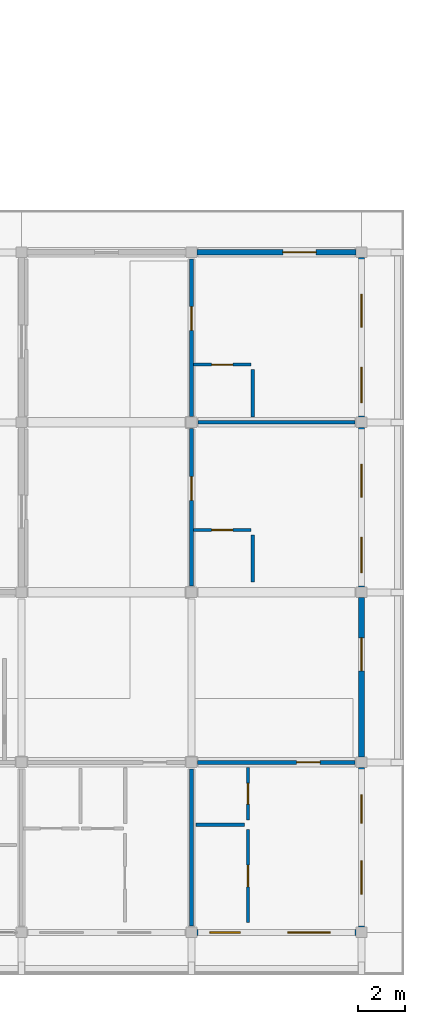
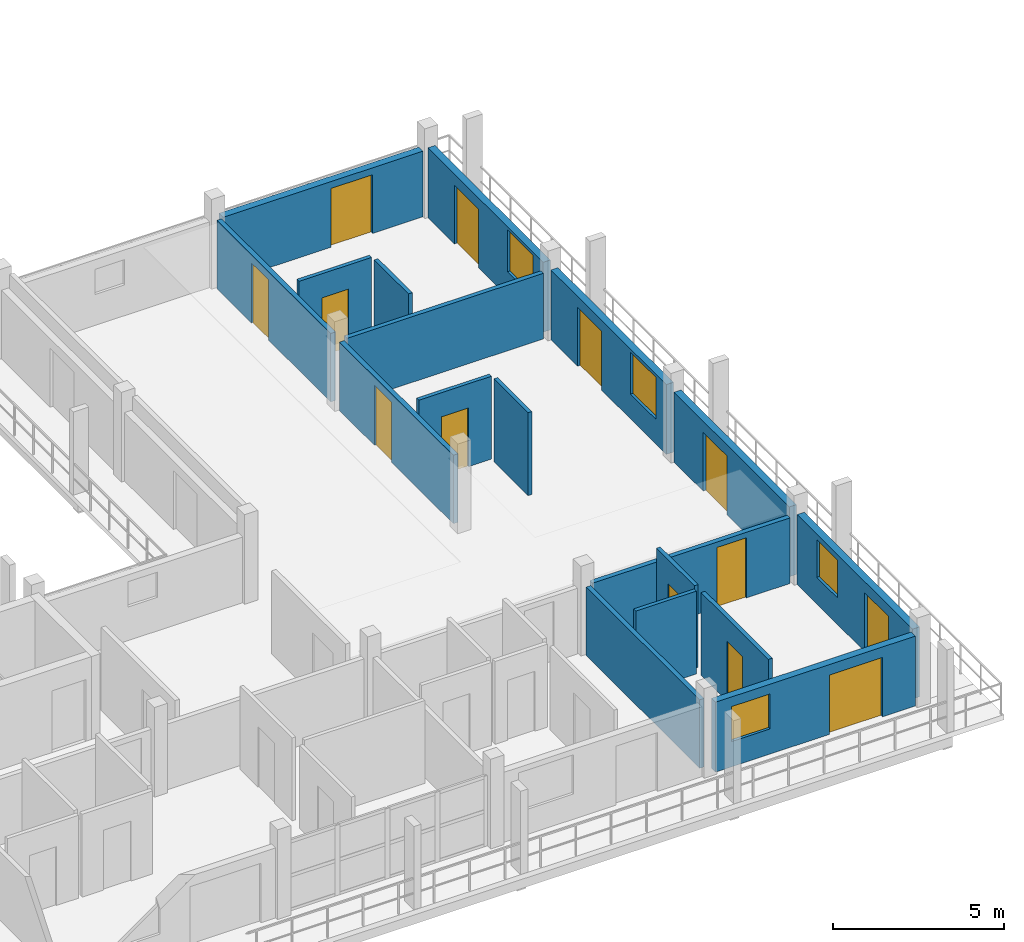
# One storey, part 39 of 56: 18 walls, 13 doors, 4 windows, 17 openings.
"""IFC4 building model written with IfcOpenShell, lengths in metres."""

from ifc_helpers import new_model, si_unit, direction, frame, frame_2d, origin, place, context, subcontext, project, spatial, rectangle, extrude, material, layer, layer_set, type_object, element, fill, save


model = new_model("IFC4")

# Units and contexts
model_context = context("Model", 3, precision=1e-05, world=origin(), true_north=direction((0.0, 1.0)))
body_context = subcontext(model_context, "Body", "Model", "MODEL_VIEW")
ifc_project = project(units=[si_unit("LENGTHUNIT", "METRE"), si_unit("AREAUNIT", "SQUARE_METRE"), si_unit("VOLUMEUNIT", "CUBIC_METRE"), si_unit("PLANEANGLEUNIT", "RADIAN"), si_unit("MASSUNIT", "GRAM", prefix="KILO")], contexts=[model_context])

# Site, building, storey
site_placement = place(None, origin())
site = spatial("IfcSite", under=ifc_project, at=site_placement, CompositionType="ELEMENT")
building_placement = place(site_placement, origin())
building = spatial("IfcBuilding", under=site, at=building_placement, Name="Suanplinth Sawtooth Commons", CompositionType="ELEMENT")
storey_placement = place(building_placement, frame((0.0, 0.0, 34.800048828125)))
storey = spatial("IfcBuildingStorey", under=building, at=storey_placement, Name="L10", CompositionType="ELEMENT", Elevation=34.800048828125)

# Wall, openings, door, window
ifc_material_1 = material(Name="Precast concrete C40/50", Category="concrete")
ifc_layer_1 = layer(ifc_material_1, 0.239990234375, Name="Upper insulated precast facade wall 240mm")
ifc_layer_set_1 = layer_set([ifc_layer_1], Name="Precast concrete C40/50")
wall_type_1 = type_object("IfcWallType", Name="W-EX03", PredefinedType="ELEMENTEDWALL", material=ifc_layer_set_1)
wall_1_placement = place(storey_placement, frame((180.22509765625, 0.0, 0.0), z_axis=(0.0, 0.0, 1.0), x_axis=(1.0, 0.0, 0.0)))
wall_1 = element("IfcWall", 1, at=wall_1_placement, inside=storey, type_object=wall_type_1, Name="Facade Wall W-L10-C-S-25-0", PredefinedType="ELEMENTEDWALL", context=body_context, shape_type="SweptSolid", body=[
    extrude(rectangle(XDim=6.75, YDim=0.239990234375, at=frame_2d((3.375, 0.0))), origin(), (0.0, 0.0, 1.0), 2.494873046875),
])
opening_1_placement = place(wall_1_placement, frame((3.85009765625, 0.0, 0.0)))
opening_1 = element("IfcOpeningElement", 2, at=opening_1_placement, cuts=wall_1, Name="Opening ED0772", PredefinedType="OPENING", context=body_context, shape_type="SweptSolid", body=[
    extrude(rectangle(XDim=1.800048828125, YDim=2.1201171875, at=frame_2d((0.89990234375, 1.06005859375))), frame((0.0, 0.134765625, 0.0), z_axis=(0.0, -1.0, 0.0), x_axis=(1.0, 0.0, 0.0)), (0.0, 0.0, 1.0), 0.269775390625),
])
opening_2_placement = place(wall_1_placement, frame((0.550048828125, 0.0, 0.89990234375)))
opening_2 = element("IfcOpeningElement", 3, at=opening_2_placement, cuts=wall_1, Name="Opening W0858", PredefinedType="OPENING", context=body_context, shape_type="SweptSolid", body=[
    extrude(rectangle(XDim=1.300048828125, YDim=1.25, at=frame_2d((0.64990234375, 0.625))), frame((0.0, 0.134765625, 0.0), z_axis=(0.0, -1.0, 0.0), x_axis=(1.0, 0.0, 0.0)), (0.0, 0.0, 1.0), 0.269775390625),
])
ifc_material_2 = material(Name="Anodized aluminium and low-E glass", Category="aluminium")
door_type_1 = type_object("IfcDoorType", Name="SD-01", OperationType="SLIDING_TO_LEFT", PredefinedType="DOOR", material=ifc_material_2)
door_1_placement = place(opening_1_placement, frame((1.800048828125, 0.0, 0.0), z_axis=(0.0, 0.0, 1.0), x_axis=(-1.0, 0.0, 0.0)))
door_1 = element("IfcDoor", 4, at=door_1_placement, inside=storey, type_object=door_type_1, Name="Balcony Sliding Door L10-C-25", OperationType="SLIDING_TO_LEFT", OverallHeight=2.1201171875, OverallWidth=1.800048828125, PredefinedType="DOOR", context=body_context, shape_type="SweptSolid", body=[
    extrude(rectangle(XDim=1.800048828125, YDim=2.1201171875, at=frame_2d((0.89990234375, 1.06005859375))), frame((0.0, 0.02490234375, 0.0), z_axis=(0.0, -1.0, 0.0), x_axis=(1.0, 0.0, 0.0)), (0.0, 0.0, 1.0), 0.050048828125),
])
fill(opening_1, door_1)
ifc_material_3 = material(Name="Thermally broken aluminium and low-E double glazing", Category="aluminium")
window_type_1 = type_object("IfcWindowType", Name="WN-24", PartitioningType="SINGLE_PANEL", PredefinedType="WINDOW", material=ifc_material_3)
window_1_placement = place(opening_2_placement, origin())
window_1 = element("IfcWindow", 5, at=window_1_placement, inside=storey, type_object=window_type_1, Name="Apartment Window L10-C-25", OverallHeight=1.25, OverallWidth=1.300048828125, PartitioningType="SINGLE_PANEL", PredefinedType="WINDOW", context=body_context, shape_type="SweptSolid", body=[
    extrude(rectangle(XDim=1.300048828125, YDim=1.25, at=frame_2d((0.64990234375, 0.625))), frame((0.0, 0.030029296875, 0.0), z_axis=(0.0, -1.0, 0.0), x_axis=(1.0, 0.0, 0.0)), (0.0, 0.0, 1.0), 0.06005859375),
])
fill(opening_2, window_1)

wall_2_placement = place(storey_placement, frame((187.199951171875, 0.22509765625, 0.0), z_axis=(0.0, 0.0, 1.0), x_axis=(0.0, 1.0, 0.0)))
wall_2 = element("IfcWall", 6, at=wall_2_placement, inside=storey, type_object=wall_type_1, Name="Facade Wall W-L10-C-E-25-0", PredefinedType="ELEMENTEDWALL", context=body_context, shape_type="SweptSolid", body=[
    extrude(rectangle(XDim=6.75, YDim=0.239990234375, at=frame_2d((3.375, 0.0))), origin(), (0.0, 0.0, 1.0), 2.494873046875),
])
opening_3_placement = place(wall_2_placement, frame((1.39990234375, 0.0, 0.0)))
opening_3 = element("IfcOpeningElement", 7, at=opening_3_placement, cuts=wall_2, Name="Opening ED0773", PredefinedType="OPENING", context=body_context, shape_type="SweptSolid", body=[
    extrude(rectangle(XDim=1.39990234375, YDim=2.10009765625, at=frame_2d((0.699951171875, 1.050048828125))), frame((0.0, 0.134765625, 0.0), z_axis=(0.0, -1.0, 0.0), x_axis=(1.0, 0.0, 0.0)), (0.0, 0.0, 1.0), 0.269775390625),
])
opening_4_placement = place(wall_2_placement, frame((4.39990234375, 0.0, 0.949951171875)))
opening_4 = element("IfcOpeningElement", 8, at=opening_4_placement, cuts=wall_2, Name="Opening W0859", PredefinedType="OPENING", context=body_context, shape_type="SweptSolid", body=[
    extrude(rectangle(XDim=1.199951171875, YDim=1.35009765625, at=frame_2d((0.60009765625, 0.675048828125))), frame((0.0, 0.134765625, 0.0), z_axis=(0.0, -1.0, 0.0), x_axis=(1.0, 0.0, 0.0)), (0.0, 0.0, 1.0), 0.269775390625),
])
door_type_2 = type_object("IfcDoorType", Name="SD-07", OperationType="SLIDING_TO_RIGHT", PredefinedType="DOOR", material=ifc_material_2)
door_2_placement = place(opening_3_placement, frame((1.39990234375, 0.0, 0.0), z_axis=(0.0, 0.0, 1.0), x_axis=(-1.0, 0.0, 0.0)))
door_2 = element("IfcDoor", 9, at=door_2_placement, inside=storey, type_object=door_type_2, Name="End Balcony Sliding Door L10-C-E-25-0", OperationType="SLIDING_TO_RIGHT", OverallHeight=2.10009765625, OverallWidth=1.39990234375, PredefinedType="DOOR", context=body_context, shape_type="SweptSolid", body=[
    extrude(rectangle(XDim=1.39990234375, YDim=2.10009765625, at=frame_2d((0.699951171875, 1.050048828125))), frame((0.0, 0.02490234375, 0.0), z_axis=(0.0, -1.0, 0.0), x_axis=(1.0, 0.0, 0.0)), (0.0, 0.0, 1.0), 0.050048828125),
])
fill(opening_3, door_2)
window_type_2 = type_object("IfcWindowType", Name="WN-03", PartitioningType="SINGLE_PANEL", PredefinedType="WINDOW", material=ifc_material_3)
window_2_placement = place(opening_4_placement, origin())
window_2 = element("IfcWindow", 10, at=window_2_placement, inside=storey, type_object=window_type_2, Name="End Bedroom Window L10-C-25-0", OverallHeight=1.35009765625, OverallWidth=1.199951171875, PartitioningType="SINGLE_PANEL", PredefinedType="WINDOW", context=body_context, shape_type="SweptSolid", body=[
    extrude(rectangle(XDim=1.199951171875, YDim=1.35009765625, at=frame_2d((0.60009765625, 0.675048828125))), frame((0.0, 0.030029296875, 0.0), z_axis=(0.0, -1.0, 0.0), x_axis=(1.0, 0.0, 0.0)), (0.0, 0.0, 1.0), 0.06005859375),
])
fill(opening_4, window_2)

# Wall, opening, door
wall_3_placement = place(storey_placement, frame((187.199951171875, 7.425048828125, 0.0), z_axis=(0.0, 0.0, 1.0), x_axis=(0.0, 1.0, 0.0)))
wall_3 = element("IfcWall", 11, at=wall_3_placement, inside=storey, type_object=wall_type_1, Name="Facade Wall W-L10-C-E-25-1", PredefinedType="ELEMENTEDWALL", context=body_context, shape_type="SweptSolid", body=[
    extrude(rectangle(XDim=6.75, YDim=0.239990234375, at=frame_2d((3.375, 0.0))), origin(), (0.0, 0.0, 1.0), 2.494873046875),
])
opening_5_placement = place(wall_3_placement, frame((3.64990234375, 0.0, 0.0)))
opening_5 = element("IfcOpeningElement", 12, at=opening_5_placement, cuts=wall_3, Name="Opening ED0774", PredefinedType="OPENING", context=body_context, shape_type="SweptSolid", body=[
    extrude(rectangle(XDim=1.39990234375, YDim=2.10009765625, at=frame_2d((0.699951171875, 1.050048828125))), frame((0.0, 0.134765625, 0.0), z_axis=(0.0, -1.0, 0.0), x_axis=(1.0, 0.0, 0.0)), (0.0, 0.0, 1.0), 0.269775390625),
])
door_3_placement = place(opening_5_placement, frame((1.39990234375, 0.0, 0.0), z_axis=(0.0, 0.0, 1.0), x_axis=(-1.0, 0.0, 0.0)))
door_3 = element("IfcDoor", 13, at=door_3_placement, inside=storey, type_object=door_type_2, Name="End Balcony Sliding Door L10-C-E-25-1", OperationType="SLIDING_TO_RIGHT", OverallHeight=2.10009765625, OverallWidth=1.39990234375, PredefinedType="DOOR", context=body_context, shape_type="SweptSolid", body=[
    extrude(rectangle(XDim=1.39990234375, YDim=2.10009765625, at=frame_2d((0.699951171875, 1.050048828125))), frame((0.0, 0.02490234375, 0.0), z_axis=(0.0, -1.0, 0.0), x_axis=(1.0, 0.0, 0.0)), (0.0, 0.0, 1.0), 0.050048828125),
])
fill(opening_5, door_3)

# Wall, openings, door, window
wall_4_placement = place(storey_placement, frame((187.199951171875, 14.625, 0.0), z_axis=(0.0, 0.0, 1.0), x_axis=(0.0, 1.0, 0.0)))
wall_4 = element("IfcWall", 14, at=wall_4_placement, inside=storey, type_object=wall_type_1, Name="Facade Wall W-L10-C-E-25-2", PredefinedType="ELEMENTEDWALL", context=body_context, shape_type="SweptSolid", body=[
    extrude(rectangle(XDim=6.75, YDim=0.239990234375, at=frame_2d((3.375, 0.0))), origin(), (0.0, 0.0, 1.0), 2.494873046875),
])
opening_6_placement = place(wall_4_placement, frame((3.800048828125, 0.0, 0.0)))
opening_6 = element("IfcOpeningElement", 15, at=opening_6_placement, cuts=wall_4, Name="Opening ED0775", PredefinedType="OPENING", context=body_context, shape_type="SweptSolid", body=[
    extrude(rectangle(XDim=1.39990234375, YDim=2.10009765625, at=frame_2d((0.699951171875, 1.050048828125))), frame((0.0, 0.134765625, 0.0), z_axis=(0.0, -1.0, 0.0), x_axis=(1.0, 0.0, 0.0)), (0.0, 0.0, 1.0), 0.269775390625),
])
opening_7_placement = place(wall_4_placement, frame((0.60009765625, 0.0, 0.885009765625)))
opening_7 = element("IfcOpeningElement", 16, at=opening_7_placement, cuts=wall_4, Name="Opening W0860", PredefinedType="OPENING", context=body_context, shape_type="SweptSolid", body=[
    extrude(rectangle(XDim=1.5, YDim=1.5, at=frame_2d((0.75, 0.75))), frame((0.0, 0.134765625, 0.0), z_axis=(0.0, -1.0, 0.0), x_axis=(1.0, 0.0, 0.0)), (0.0, 0.0, 1.0), 0.269775390625),
])
door_4_placement = place(opening_6_placement, frame((1.39990234375, 0.0, 0.0), z_axis=(0.0, 0.0, 1.0), x_axis=(-1.0, 0.0, 0.0)))
door_4 = element("IfcDoor", 17, at=door_4_placement, inside=storey, type_object=door_type_2, Name="Wing Balcony Sliding Door L10-C-2", OperationType="SLIDING_TO_RIGHT", OverallHeight=2.10009765625, OverallWidth=1.39990234375, PredefinedType="DOOR", context=body_context, shape_type="SweptSolid", body=[
    extrude(rectangle(XDim=1.39990234375, YDim=2.10009765625, at=frame_2d((0.699951171875, 1.050048828125))), frame((0.0, 0.02490234375, 0.0), z_axis=(0.0, -1.0, 0.0), x_axis=(1.0, 0.0, 0.0)), (0.0, 0.0, 1.0), 0.050048828125),
])
fill(opening_6, door_4)
window_type_3 = type_object("IfcWindowType", Name="WN-02", PartitioningType="DOUBLE_PANEL_VERTICAL", PredefinedType="WINDOW", material=ifc_material_3)
window_3_placement = place(opening_7_placement, origin())
window_3 = element("IfcWindow", 18, at=window_3_placement, inside=storey, type_object=window_type_3, Name="Wing Window L10-C-2", OverallHeight=1.5, OverallWidth=1.5, PartitioningType="DOUBLE_PANEL_VERTICAL", PredefinedType="WINDOW", context=body_context, shape_type="SweptSolid", body=[
    extrude(rectangle(XDim=1.5, YDim=1.5, at=frame_2d((0.75, 0.75))), frame((0.0, 0.030029296875, 0.0), z_axis=(0.0, -1.0, 0.0), x_axis=(1.0, 0.0, 0.0)), (0.0, 0.0, 1.0), 0.06005859375),
])
fill(opening_7, window_3)

# Wall, opening, door
wall_5_placement = place(storey_placement, frame((180.22509765625, 28.800048828125, 0.0), z_axis=(0.0, 0.0, 1.0), x_axis=(1.0, 0.0, 0.0)))
wall_5 = element("IfcWall", 19, at=wall_5_placement, inside=storey, type_object=wall_type_1, Name="Facade Wall W-L10-C-N-25-3", PredefinedType="ELEMENTEDWALL", context=body_context, shape_type="SweptSolid", body=[
    extrude(rectangle(XDim=6.75, YDim=0.239990234375, at=frame_2d((3.375, 0.0))), origin(), (0.0, 0.0, 1.0), 2.344970703125),
])
opening_8_placement = place(wall_5_placement, frame((3.64990234375, 0.0, 0.0)))
opening_8 = element("IfcOpeningElement", 20, at=opening_8_placement, cuts=wall_5, Name="Opening ED0776", PredefinedType="OPENING", context=body_context, shape_type="SweptSolid", body=[
    extrude(rectangle(XDim=1.39990234375, YDim=2.10009765625, at=frame_2d((0.699951171875, 1.050048828125))), frame((0.0, 0.134765625, 0.0), z_axis=(0.0, -1.0, 0.0), x_axis=(1.0, 0.0, 0.0)), (0.0, 0.0, 1.0), 0.269775390625),
])
door_5_placement = place(opening_8_placement, frame((1.39990234375, 0.0, 0.0), z_axis=(0.0, 0.0, 1.0), x_axis=(-1.0, 0.0, 0.0)))
door_5 = element("IfcDoor", 21, at=door_5_placement, inside=storey, type_object=door_type_2, Name="End Balcony Sliding Door L10-C-N-25-3", OperationType="SLIDING_TO_RIGHT", OverallHeight=2.10009765625, OverallWidth=1.39990234375, PredefinedType="DOOR", context=body_context, shape_type="SweptSolid", body=[
    extrude(rectangle(XDim=1.39990234375, YDim=2.10009765625, at=frame_2d((0.699951171875, 1.050048828125))), frame((0.0, 0.02490234375, 0.0), z_axis=(0.0, -1.0, 0.0), x_axis=(1.0, 0.0, 0.0)), (0.0, 0.0, 1.0), 0.050048828125),
])
fill(opening_8, door_5)

# Wall, openings, door, window
wall_6_placement = place(storey_placement, frame((187.199951171875, 21.824951171875, 0.0), z_axis=(0.0, 0.0, 1.0), x_axis=(0.0, 1.0, 0.0)))
wall_6 = element("IfcWall", 22, at=wall_6_placement, inside=storey, type_object=wall_type_1, Name="Facade Wall W-L10-C-E-25-3", PredefinedType="ELEMENTEDWALL", context=body_context, shape_type="SweptSolid", body=[
    extrude(rectangle(XDim=6.75, YDim=0.239990234375, at=frame_2d((3.375, 0.0))), origin(), (0.0, 0.0, 1.0), 2.494873046875),
])
opening_9_placement = place(wall_6_placement, frame((3.800048828125, 0.0, 0.0)))
opening_9 = element("IfcOpeningElement", 23, at=opening_9_placement, cuts=wall_6, Name="Opening ED0777", PredefinedType="OPENING", context=body_context, shape_type="SweptSolid", body=[
    extrude(rectangle(XDim=1.39990234375, YDim=2.10009765625, at=frame_2d((0.699951171875, 1.050048828125))), frame((0.0, 0.134765625, 0.0), z_axis=(0.0, -1.0, 0.0), x_axis=(1.0, 0.0, 0.0)), (0.0, 0.0, 1.0), 0.269775390625),
])
opening_10_placement = place(wall_6_placement, frame((0.60009765625, 0.0, 0.885009765625)))
opening_10 = element("IfcOpeningElement", 24, at=opening_10_placement, cuts=wall_6, Name="Opening W0861", PredefinedType="OPENING", context=body_context, shape_type="SweptSolid", body=[
    extrude(rectangle(XDim=1.5, YDim=1.5, at=frame_2d((0.75, 0.75))), frame((0.0, 0.134765625, 0.0), z_axis=(0.0, -1.0, 0.0), x_axis=(1.0, 0.0, 0.0)), (0.0, 0.0, 1.0), 0.269775390625),
])
door_6_placement = place(opening_9_placement, frame((1.39990234375, 0.0, 0.0), z_axis=(0.0, 0.0, 1.0), x_axis=(-1.0, 0.0, 0.0)))
door_6 = element("IfcDoor", 25, at=door_6_placement, inside=storey, type_object=door_type_2, Name="Wing Balcony Sliding Door L10-C-3", OperationType="SLIDING_TO_RIGHT", OverallHeight=2.10009765625, OverallWidth=1.39990234375, PredefinedType="DOOR", context=body_context, shape_type="SweptSolid", body=[
    extrude(rectangle(XDim=1.39990234375, YDim=2.10009765625, at=frame_2d((0.699951171875, 1.050048828125))), frame((0.0, 0.02490234375, 0.0), z_axis=(0.0, -1.0, 0.0), x_axis=(1.0, 0.0, 0.0)), (0.0, 0.0, 1.0), 0.050048828125),
])
fill(opening_9, door_6)
window_4_placement = place(opening_10_placement, origin())
window_4 = element("IfcWindow", 26, at=window_4_placement, inside=storey, type_object=window_type_3, Name="Wing Window L10-C-3", OverallHeight=1.5, OverallWidth=1.5, PartitioningType="DOUBLE_PANEL_VERTICAL", PredefinedType="WINDOW", context=body_context, shape_type="SweptSolid", body=[
    extrude(rectangle(XDim=1.5, YDim=1.5, at=frame_2d((0.75, 0.75))), frame((0.0, 0.030029296875, 0.0), z_axis=(0.0, -1.0, 0.0), x_axis=(1.0, 0.0, 0.0)), (0.0, 0.0, 1.0), 0.06005859375),
])
fill(opening_10, window_4)

# Wall, opening, door
ifc_layer_2 = layer(ifc_material_1, 0.159912109375, Name="Fire-rated corridor and lobby wall 160mm")
ifc_layer_set_2 = layer_set([ifc_layer_2], Name="Precast concrete C40/50")
wall_type_2 = type_object("IfcWallType", Name="W-FW01", PredefinedType="PARTITIONING", material=ifc_layer_set_2)
wall_7_placement = place(storey_placement, frame((180.2548828125, 7.199951171875, 0.0), z_axis=(0.0, 0.0, 1.0), x_axis=(1.0, 0.0, 0.0)))
wall_7 = element("IfcWall", 27, at=wall_7_placement, inside=storey, type_object=wall_type_2, Name="W-C-L10-U05-COR", PredefinedType="PARTITIONING", context=body_context, shape_type="SweptSolid", body=[
    extrude(rectangle(XDim=6.6650390625, YDim=0.159912109375, at=frame_2d((3.33251953125, 0.0))), origin(), (0.0, 0.0, 1.0), 2.344970703125),
])
opening_11_placement = place(wall_7_placement, frame((4.195068359375, 0.0, 0.0)))
opening_11 = element("IfcOpeningElement", 28, at=opening_11_placement, cuts=wall_7, Name="Opening FD1918", PredefinedType="OPENING", context=body_context, shape_type="SweptSolid", body=[
    extrude(rectangle(XDim=1.0, YDim=2.14990234375, at=frame_2d((0.5, 1.074951171875))), frame((0.0, 0.0947265625, 0.0), z_axis=(0.0, -1.0, 0.0), x_axis=(1.0, 0.0, 0.0)), (0.0, 0.0, 1.0), 0.189697265625),
])
ifc_material_4 = material(Name="Teak hardwood fire-rated door assembly", Category="wood")
door_type_3 = type_object("IfcDoorType", Name="FD-03", OperationType="NOTDEFINED", PredefinedType="DOOR", material=ifc_material_4)
door_7_placement = place(opening_11_placement, frame((1.0, 0.0, 0.0), z_axis=(0.0, 0.0, 1.0), x_axis=(-1.0, 0.0, 0.0)))
door_7 = element("IfcDoor", 29, at=door_7_placement, inside=storey, type_object=door_type_3, Name="Unit Entrance Door FD1918", OperationType="SINGLE_SWING_RIGHT", OverallHeight=2.14990234375, OverallWidth=1.0, PredefinedType="DOOR", context=body_context, shape_type="SweptSolid", body=[
    extrude(rectangle(XDim=1.0, YDim=2.14990234375, at=frame_2d((0.5, 1.074951171875))), frame((0.0, 0.02490234375, 0.0), z_axis=(0.0, -1.0, 0.0), x_axis=(1.0, 0.0, 0.0)), (0.0, 0.0, 1.0), 0.050048828125),
])
fill(opening_11, door_7)

wall_8_placement = place(storey_placement, frame((180.0, 14.679931640625, 0.0), z_axis=(0.0, 0.0, 1.0), x_axis=(0.0, 1.0, 0.0)))
wall_8 = element("IfcWall", 30, at=wall_8_placement, inside=storey, type_object=wall_type_2, Name="W-C-L10-L01-COR", PredefinedType="PARTITIONING", context=body_context, shape_type="SweptSolid", body=[
    extrude(rectangle(XDim=6.6650390625, YDim=0.159912109375, at=frame_2d((3.33251953125, 0.0))), origin(), (0.0, 0.0, 1.0), 2.445068359375),
])
opening_12_placement = place(wall_8_placement, frame((3.6201171875, 0.0, 0.0)))
opening_12 = element("IfcOpeningElement", 31, at=opening_12_placement, cuts=wall_8, Name="Opening FD1922", PredefinedType="OPENING", context=body_context, shape_type="SweptSolid", body=[
    extrude(rectangle(XDim=1.0, YDim=2.14990234375, at=frame_2d((0.5, 1.074951171875))), frame((0.0, 0.0947265625, 0.0), z_axis=(0.0, -1.0, 0.0), x_axis=(1.0, 0.0, 0.0)), (0.0, 0.0, 1.0), 0.189697265625),
])
door_8_placement = place(opening_12_placement, frame((1.0, 0.0, 0.0), z_axis=(0.0, 0.0, 1.0), x_axis=(-1.0, 0.0, 0.0)))
door_8 = element("IfcDoor", 32, at=door_8_placement, inside=storey, type_object=door_type_3, Name="Wing Unit Entrance Door FD1922", OperationType="SINGLE_SWING_RIGHT", OverallHeight=2.14990234375, OverallWidth=1.0, PredefinedType="DOOR", context=body_context, shape_type="SweptSolid", body=[
    extrude(rectangle(XDim=1.0, YDim=2.14990234375, at=frame_2d((0.5, 1.074951171875))), frame((0.0, 0.02490234375, 0.0), z_axis=(0.0, -1.0, 0.0), x_axis=(1.0, 0.0, 0.0)), (0.0, 0.0, 1.0), 0.050048828125),
])
fill(opening_12, door_8)

wall_9_placement = place(storey_placement, frame((180.0, 21.85498046875, 0.0), z_axis=(0.0, 0.0, 1.0), x_axis=(0.0, 1.0, 0.0)))
wall_9 = element("IfcWall", 33, at=wall_9_placement, inside=storey, type_object=wall_type_2, Name="W-C-L10-L02-COR", PredefinedType="PARTITIONING", context=body_context, shape_type="SweptSolid", body=[
    extrude(rectangle(XDim=6.6650390625, YDim=0.159912109375, at=frame_2d((3.33251953125, 0.0))), origin(), (0.0, 0.0, 1.0), 2.445068359375),
])
opening_13_placement = place(wall_9_placement, frame((3.64501953125, 0.0, 0.0)))
opening_13 = element("IfcOpeningElement", 34, at=opening_13_placement, cuts=wall_9, Name="Opening FD1925", PredefinedType="OPENING", context=body_context, shape_type="SweptSolid", body=[
    extrude(rectangle(XDim=1.0, YDim=2.14990234375, at=frame_2d((0.5, 1.074951171875))), frame((0.0, 0.0947265625, 0.0), z_axis=(0.0, -1.0, 0.0), x_axis=(1.0, 0.0, 0.0)), (0.0, 0.0, 1.0), 0.189697265625),
])
door_9_placement = place(opening_13_placement, frame((1.0, 0.0, 0.0), z_axis=(0.0, 0.0, 1.0), x_axis=(-1.0, 0.0, 0.0)))
door_9 = element("IfcDoor", 35, at=door_9_placement, inside=storey, type_object=door_type_3, Name="Wing Unit Entrance Door FD1925", OperationType="SINGLE_SWING_LEFT", OverallHeight=2.14990234375, OverallWidth=1.0, PredefinedType="DOOR", context=body_context, shape_type="SweptSolid", body=[
    extrude(rectangle(XDim=1.0, YDim=2.14990234375, at=frame_2d((0.5, 1.074951171875))), frame((0.0, 0.02490234375, 0.0), z_axis=(0.0, -1.0, 0.0), x_axis=(1.0, 0.0, 0.0)), (0.0, 0.0, 1.0), 0.050048828125),
])
fill(opening_13, door_9)

# Walls
ifc_layer_3 = layer(ifc_material_1, 0.14990234375, Name="Acoustic precast party demising wall 150mm")
ifc_layer_set_3 = layer_set([ifc_layer_3], Name="Precast concrete C40/50")
wall_type_3 = type_object("IfcWallType", Name="W-FW02", PredefinedType="PARTITIONING", material=ifc_layer_set_3)
wall_10_placement = place(storey_placement, frame((180.0, 0.280029296875, 0.0), z_axis=(0.0, 0.0, 1.0), x_axis=(0.0, 1.0, 0.0)))
element("IfcWall", 36, at=wall_10_placement, inside=storey, type_object=wall_type_3, Name="W-C-L10-U04-PTY", PredefinedType="PARTITIONING", context=body_context, shape_type="SweptSolid", body=[
    extrude(rectangle(XDim=6.639892578125, YDim=0.14990234375, at=frame_2d((3.31982421875, 0.0))), origin(), (0.0, 0.0, 1.0), 2.445068359375),
])
wall_11_placement = place(storey_placement, frame((180.280029296875, 21.60009765625, 0.0), z_axis=(0.0, 0.0, 1.0), x_axis=(1.0, 0.0, 0.0)))
element("IfcWall", 37, at=wall_11_placement, inside=storey, type_object=wall_type_3, Name="W-C-L10-L01-PTY", PredefinedType="PARTITIONING", context=body_context, shape_type="SweptSolid", body=[
    extrude(rectangle(XDim=6.639892578125, YDim=0.14990234375, at=frame_2d((3.31982421875, 0.0))), origin(), (0.0, 0.0, 1.0), 2.344970703125),
])

# Wall, opening, door
ifc_material_5 = material(Name="Gypsum plasterboard on steel stud", Category="steel")
ifc_layer_4 = layer(ifc_material_5, 0.139892578125, Name="Fire-rated kitchen partition 140mm")
ifc_layer_set_4 = layer_set([ifc_layer_4], Name="Gypsum plasterboard on steel stud")
wall_type_4 = type_object("IfcWallType", Name="W-PT01", PredefinedType="PARTITIONING", material=ifc_layer_set_4)
wall_12_placement = place(storey_placement, frame((182.39501953125, 0.419921875, 0.0), z_axis=(0.0, 0.0, 1.0), x_axis=(0.0, 1.0, 0.0)))
wall_12 = element("IfcWall", 38, at=wall_12_placement, inside=storey, type_object=wall_type_4, Name="W-C-L10-U05-KITE", PredefinedType="PARTITIONING", context=body_context, shape_type="SweptSolid", body=[
    extrude(rectangle(XDim=3.940185546875, YDim=0.139892578125, at=frame_2d((1.97021484375, 0.0))), origin(), (0.0, 0.0, 1.0), 2.9599609375),
])
opening_14_placement = place(wall_12_placement, frame((1.5048828125, 0.0, 0.0)))
opening_14 = element("IfcOpeningElement", 39, at=opening_14_placement, cuts=wall_12, Name="Opening D1920", PredefinedType="OPENING", context=body_context, shape_type="SweptSolid", body=[
    extrude(rectangle(XDim=0.929931640625, YDim=2.139892578125, at=frame_2d((0.46484375, 1.06982421875))), frame((0.0, 0.0849609375, 0.0), z_axis=(0.0, -1.0, 0.0), x_axis=(1.0, 0.0, 0.0)), (0.0, 0.0, 1.0), 0.169677734375),
])
ifc_material_6 = material(Name="Teak hardwood", Category="wood")
door_type_4 = type_object("IfcDoorType", Name="D-19", OperationType="NOTDEFINED", PredefinedType="DOOR", material=ifc_material_6)
door_10_placement = place(opening_14_placement, origin())
door_10 = element("IfcDoor", 40, at=door_10_placement, inside=storey, type_object=door_type_4, Name="Kitchen Door D1920", OperationType="SINGLE_SWING_RIGHT", OverallHeight=2.139892578125, OverallWidth=0.929931640625, PredefinedType="DOOR", context=body_context, shape_type="SweptSolid", body=[
    extrude(rectangle(XDim=0.929931640625, YDim=2.139892578125, at=frame_2d((0.46484375, 1.06982421875))), frame((0.0, 0.02490234375, 0.0), z_axis=(0.0, -1.0, 0.0), x_axis=(1.0, 0.0, 0.0)), (0.0, 0.0, 1.0), 0.050048828125),
])
fill(opening_14, door_10)

# Wall
ifc_layer_5 = layer(ifc_material_5, 0.1298828125, Name="Moisture-resistant bathroom partition 130mm")
ifc_layer_set_5 = layer_set([ifc_layer_5], Name="Gypsum plasterboard on steel stud")
wall_type_5 = type_object("IfcWallType", Name="W-PT02", PredefinedType="PARTITIONING", material=ifc_layer_set_5)
wall_13_placement = place(storey_placement, frame((180.199951171875, 4.56005859375, 0.0), z_axis=(0.0, 0.0, 1.0), x_axis=(1.0, 0.0, 0.0)))
element("IfcWall", 41, at=wall_13_placement, inside=storey, type_object=wall_type_5, Name="W-C-L10-U05-STDIV", PredefinedType="PARTITIONING", context=body_context, shape_type="SweptSolid", body=[
    extrude(rectangle(XDim=2.050048828125, YDim=0.1298828125, at=frame_2d((1.02490234375, 0.0))), origin(), (0.0, 0.0, 1.0), 2.9599609375),
])

# Wall, opening, door
wall_14_placement = place(storey_placement, frame((182.39501953125, 4.760009765625, 0.0), z_axis=(0.0, 0.0, 1.0), x_axis=(0.0, 1.0, 0.0)))
wall_14 = element("IfcWall", 42, at=wall_14_placement, inside=storey, type_object=wall_type_5, Name="W-C-L10-U05-BTHE", PredefinedType="PARTITIONING", context=body_context, shape_type="SweptSolid", body=[
    extrude(rectangle(XDim=2.219970703125, YDim=0.1298828125, at=frame_2d((1.10986328125, 0.0))), origin(), (0.0, 0.0, 1.0), 2.9599609375),
])
opening_15_placement = place(wall_14_placement, frame((0.669921875, 0.0, 0.0)))
opening_15 = element("IfcOpeningElement", 43, at=opening_15_placement, cuts=wall_14, Name="Opening D1919", PredefinedType="OPENING", context=body_context, shape_type="SweptSolid", body=[
    extrude(rectangle(XDim=0.8798828125, YDim=2.10009765625, at=frame_2d((0.43994140625, 1.050048828125))), frame((0.0, 0.079833984375, 0.0), z_axis=(0.0, -1.0, 0.0), x_axis=(1.0, 0.0, 0.0)), (0.0, 0.0, 1.0), 0.15966796875),
])
door_type_5 = type_object("IfcDoorType", Name="D-14", OperationType="NOTDEFINED", PredefinedType="DOOR", material=ifc_material_6)
door_11_placement = place(opening_15_placement, origin())
door_11 = element("IfcDoor", 44, at=door_11_placement, inside=storey, type_object=door_type_5, Name="Bathroom Door D1919", OperationType="SINGLE_SWING_LEFT", OverallHeight=2.10009765625, OverallWidth=0.8798828125, PredefinedType="DOOR", context=body_context, shape_type="SweptSolid", body=[
    extrude(rectangle(XDim=0.8798828125, YDim=2.10009765625, at=frame_2d((0.43994140625, 1.050048828125))), frame((0.0, 0.02490234375, 0.0), z_axis=(0.0, -1.0, 0.0), x_axis=(1.0, 0.0, 0.0)), (0.0, 0.0, 1.0), 0.050048828125),
])
fill(opening_15, door_11)

wall_15_placement = place(storey_placement, frame((180.080078125, 17.044921875, 0.0), z_axis=(0.0, 0.0, 1.0), x_axis=(1.0, 0.0, 0.0)))
wall_15 = element("IfcWall", 45, at=wall_15_placement, inside=storey, type_object=wall_type_5, Name="W-C-L10-L01-BTH1", PredefinedType="PARTITIONING", context=body_context, shape_type="SweptSolid", body=[
    extrude(rectangle(XDim=2.449951171875, YDim=0.1298828125, at=frame_2d((1.22509765625, 0.0))), origin(), (0.0, 0.0, 1.0), 2.9599609375),
])
opening_16_placement = place(wall_15_placement, frame((0.77490234375, 0.0, 0.0)))
opening_16 = element("IfcOpeningElement", 46, at=opening_16_placement, cuts=wall_15, Name="Opening D1923", PredefinedType="OPENING", context=body_context, shape_type="SweptSolid", body=[
    extrude(rectangle(XDim=0.89990234375, YDim=2.10009765625, at=frame_2d((0.449951171875, 1.050048828125))), frame((0.0, 0.079833984375, 0.0), z_axis=(0.0, -1.0, 0.0), x_axis=(1.0, 0.0, 0.0)), (0.0, 0.0, 1.0), 0.15966796875),
])
door_type_6 = type_object("IfcDoorType", Name="D-01", OperationType="NOTDEFINED", PredefinedType="DOOR", material=ifc_material_6)
door_12_placement = place(opening_16_placement, frame((0.89990234375, 0.0, 0.0), z_axis=(0.0, 0.0, 1.0), x_axis=(-1.0, 0.0, 0.0)))
door_12 = element("IfcDoor", 47, at=door_12_placement, inside=storey, type_object=door_type_6, Name="Bathroom Door D1923", OperationType="SINGLE_SWING_LEFT", OverallHeight=2.10009765625, OverallWidth=0.89990234375, PredefinedType="DOOR", context=body_context, shape_type="SweptSolid", body=[
    extrude(rectangle(XDim=0.89990234375, YDim=2.10009765625, at=frame_2d((0.449951171875, 1.050048828125))), frame((0.0, 0.02490234375, 0.0), z_axis=(0.0, -1.0, 0.0), x_axis=(1.0, 0.0, 0.0)), (0.0, 0.0, 1.0), 0.050048828125),
])
fill(opening_16, door_12)

# Wall
wall_16_placement = place(storey_placement, frame((182.594970703125, 14.830078125, 0.0), z_axis=(0.0, 0.0, 1.0), x_axis=(0.0, 1.0, 0.0)))
element("IfcWall", 48, at=wall_16_placement, inside=storey, type_object=wall_type_5, Name="W-C-L10-L01-BTH2", PredefinedType="PARTITIONING", context=body_context, shape_type="SweptSolid", body=[
    extrude(rectangle(XDim=2.0, YDim=0.1298828125, at=frame_2d((1.0, 0.0))), origin(), (0.0, 0.0, 1.0), 2.9599609375),
])

# Wall, opening, door
wall_17_placement = place(storey_placement, frame((180.080078125, 24.044921875, 0.0), z_axis=(0.0, 0.0, 1.0), x_axis=(1.0, 0.0, 0.0)))
wall_17 = element("IfcWall", 49, at=wall_17_placement, inside=storey, type_object=wall_type_5, Name="W-C-L10-L02-BTH1", PredefinedType="PARTITIONING", context=body_context, shape_type="SweptSolid", body=[
    extrude(rectangle(XDim=2.449951171875, YDim=0.1298828125, at=frame_2d((1.22509765625, 0.0))), origin(), (0.0, 0.0, 1.0), 2.9599609375),
])
opening_17_placement = place(wall_17_placement, frame((0.77490234375, 0.0, 0.0)))
opening_17 = element("IfcOpeningElement", 50, at=opening_17_placement, cuts=wall_17, Name="Opening D1926", PredefinedType="OPENING", context=body_context, shape_type="SweptSolid", body=[
    extrude(rectangle(XDim=0.89990234375, YDim=2.10009765625, at=frame_2d((0.449951171875, 1.050048828125))), frame((0.0, 0.079833984375, 0.0), z_axis=(0.0, -1.0, 0.0), x_axis=(1.0, 0.0, 0.0)), (0.0, 0.0, 1.0), 0.15966796875),
])
door_13_placement = place(opening_17_placement, frame((0.89990234375, 0.0, 0.0), z_axis=(0.0, 0.0, 1.0), x_axis=(-1.0, 0.0, 0.0)))
door_13 = element("IfcDoor", 51, at=door_13_placement, inside=storey, type_object=door_type_6, Name="Bathroom Door D1926", OperationType="SINGLE_SWING_RIGHT", OverallHeight=2.10009765625, OverallWidth=0.89990234375, PredefinedType="DOOR", context=body_context, shape_type="SweptSolid", body=[
    extrude(rectangle(XDim=0.89990234375, YDim=2.10009765625, at=frame_2d((0.449951171875, 1.050048828125))), frame((0.0, 0.02490234375, 0.0), z_axis=(0.0, -1.0, 0.0), x_axis=(1.0, 0.0, 0.0)), (0.0, 0.0, 1.0), 0.050048828125),
])
fill(opening_17, door_13)

# Wall
wall_18_placement = place(storey_placement, frame((182.594970703125, 21.830078125, 0.0), z_axis=(0.0, 0.0, 1.0), x_axis=(0.0, 1.0, 0.0)))
element("IfcWall", 52, at=wall_18_placement, inside=storey, type_object=wall_type_5, Name="W-C-L10-L02-BTH2", PredefinedType="PARTITIONING", context=body_context, shape_type="SweptSolid", body=[
    extrude(rectangle(XDim=2.0, YDim=0.1298828125, at=frame_2d((1.0, 0.0))), origin(), (0.0, 0.0, 1.0), 2.9599609375),
])

save(model, "model.ifc")
